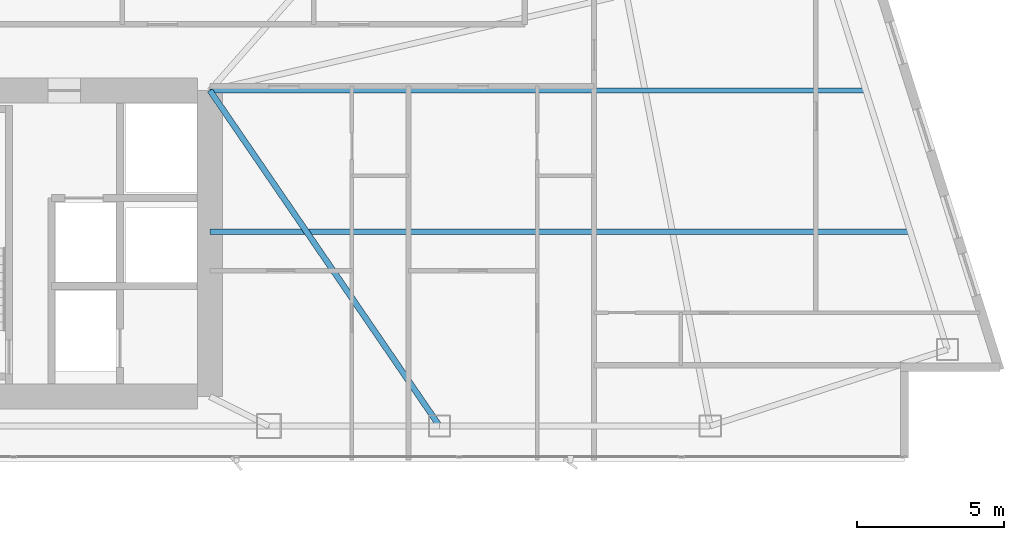
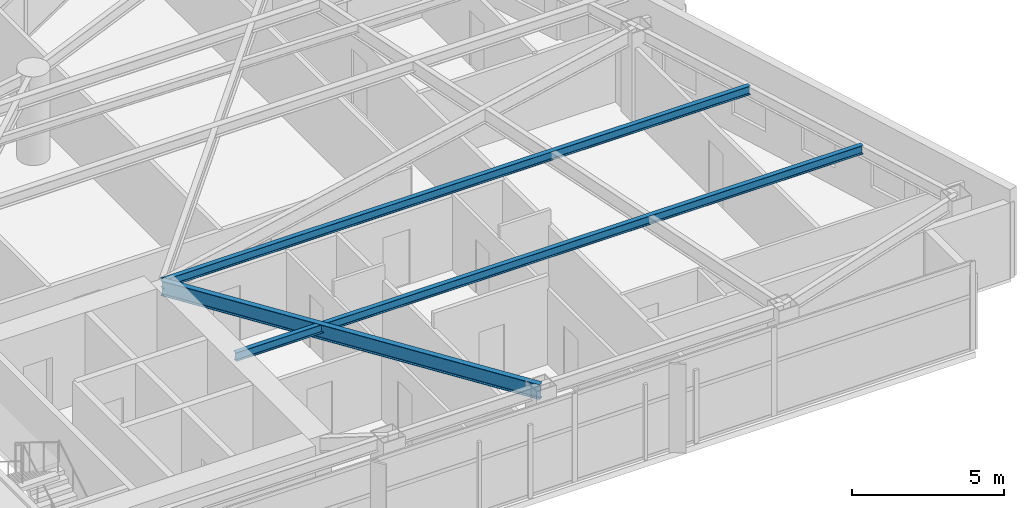
# One storey, part 13 of 28: 3 beams.
"""IFC4 building model written with IfcOpenShell, lengths in metres."""

from ifc_helpers import new_model, si_unit, direction, frame, origin, origin_2d, place, context, subcontext, project, spatial, i_section, extrude, material, material_profile, profile_set, type_object, element, save


model = new_model("IFC4")

# Units and contexts
model_context = context("Model", 3, precision=1e-05, world=origin(), true_north=direction((0.0, 1.0)))
body_context = subcontext(model_context, "Body", "Model", "MODEL_VIEW")
ifc_project = project(units=[si_unit("LENGTHUNIT", "METRE"), si_unit("AREAUNIT", "SQUARE_METRE"), si_unit("VOLUMEUNIT", "CUBIC_METRE"), si_unit("PLANEANGLEUNIT", "RADIAN"), si_unit("MASSUNIT", "GRAM", prefix="KILO")], contexts=[model_context])

# Site, building, storey
site_placement = place(None, origin())
site = spatial("IfcSite", under=ifc_project, at=site_placement, CompositionType="ELEMENT")
building_placement = place(site_placement, origin())
building = spatial("IfcBuilding", under=site, at=building_placement, Name="Calvorn Quay Hotel", CompositionType="ELEMENT")
storey_placement = place(building_placement, frame((0.0, 0.0, 159.89990234375)))
storey = spatial("IfcBuildingStorey", under=building, at=storey_placement, Name="L39", CompositionType="ELEMENT", Elevation=159.89990234375)

# Beams
ifc_material_1 = material(Name="Steel Q355B", Category="steel")
ifc_material_profile_1 = material_profile(ifc_material_1, i_section(OverallWidth=0.199951171875, OverallDepth=0.60009765625, WebThickness=0.010986328125, FlangeThickness=0.01708984375, FilletRadius=0.01806640625, at=origin_2d()), Name="HN600x200x11x17")
ifc_profile_set_1 = profile_set([ifc_material_profile_1], Name="Steel Q355B")
beam_type_1 = type_object("IfcBeamType", Name="BM-GIRD-TYP", PredefinedType="BEAM", material=ifc_profile_set_1)
beam_1_placement = place(storey_placement, frame((40.199951171875, 3.60009765625, 3.239990234375), z_axis=(-0.564689618177, 0.825303359452, 0.0), x_axis=(-0.825303359452, -0.564689618177, 0.0)))
element("IfcBeam", 1, at=beam_1_placement, inside=storey, type_object=beam_type_1, Name="Beam BG-L39-E6", PredefinedType="BEAM", context=body_context, shape_type="SweptSolid", body=[
    extrude(i_section(OverallWidth=0.199951171875, OverallDepth=0.60009765625, WebThickness=0.010986328125, FlangeThickness=0.01708984375, FilletRadius=0.01806640625, at=origin_2d()), origin(), (0.0, 0.0, 1.0), 13.81298828125),
])
ifc_material_2 = material(Name="Steel Q355B", Category="steel")
ifc_material_profile_2 = material_profile(ifc_material_2, i_section(OverallWidth=0.175048828125, OverallDepth=0.35009765625, WebThickness=0.007080078125, FlangeThickness=0.010986328125, FilletRadius=0.013916015625, at=origin_2d()), Name="HN350x175x7x11")
ifc_profile_set_2 = profile_set([ifc_material_profile_2], Name="Steel Q355B")
beam_type_2 = type_object("IfcBeamType", Name="BM-JOIST-SEC", PredefinedType="JOIST", material=ifc_profile_set_2)
beam_2_placement = place(storey_placement, frame((32.39990234375, 10.199951171875, 3.364990234375), z_axis=(1.0, 0.0, 0.0), x_axis=(0.0, 1.0, 0.0)))
element("IfcBeam", 2, at=beam_2_placement, inside=storey, type_object=beam_type_2, Name="Beam BJ-L39-E1", PredefinedType="JOIST", context=body_context, shape_type="SweptSolid", body=[
    extrude(i_section(OverallWidth=0.175048828125, OverallDepth=0.35009765625, WebThickness=0.007080078125, FlangeThickness=0.010986328125, FilletRadius=0.013916015625, at=origin_2d()), origin(), (0.0, 0.0, 1.0), 23.801025390625),
])
beam_3_placement = place(storey_placement, frame((32.39990234375, 15.0, 3.364990234375), z_axis=(1.0, 0.0, 0.0), x_axis=(0.0, 1.0, 0.0)))
element("IfcBeam", 3, at=beam_3_placement, inside=storey, type_object=beam_type_2, Name="Beam BJ-L39-E2", PredefinedType="JOIST", context=body_context, shape_type="SweptSolid", body=[
    extrude(i_section(OverallWidth=0.175048828125, OverallDepth=0.35009765625, WebThickness=0.007080078125, FlangeThickness=0.010986328125, FilletRadius=0.013916015625, at=origin_2d()), origin(), (0.0, 0.0, 1.0), 22.2880859375),
])

save(model, "model.ifc")
